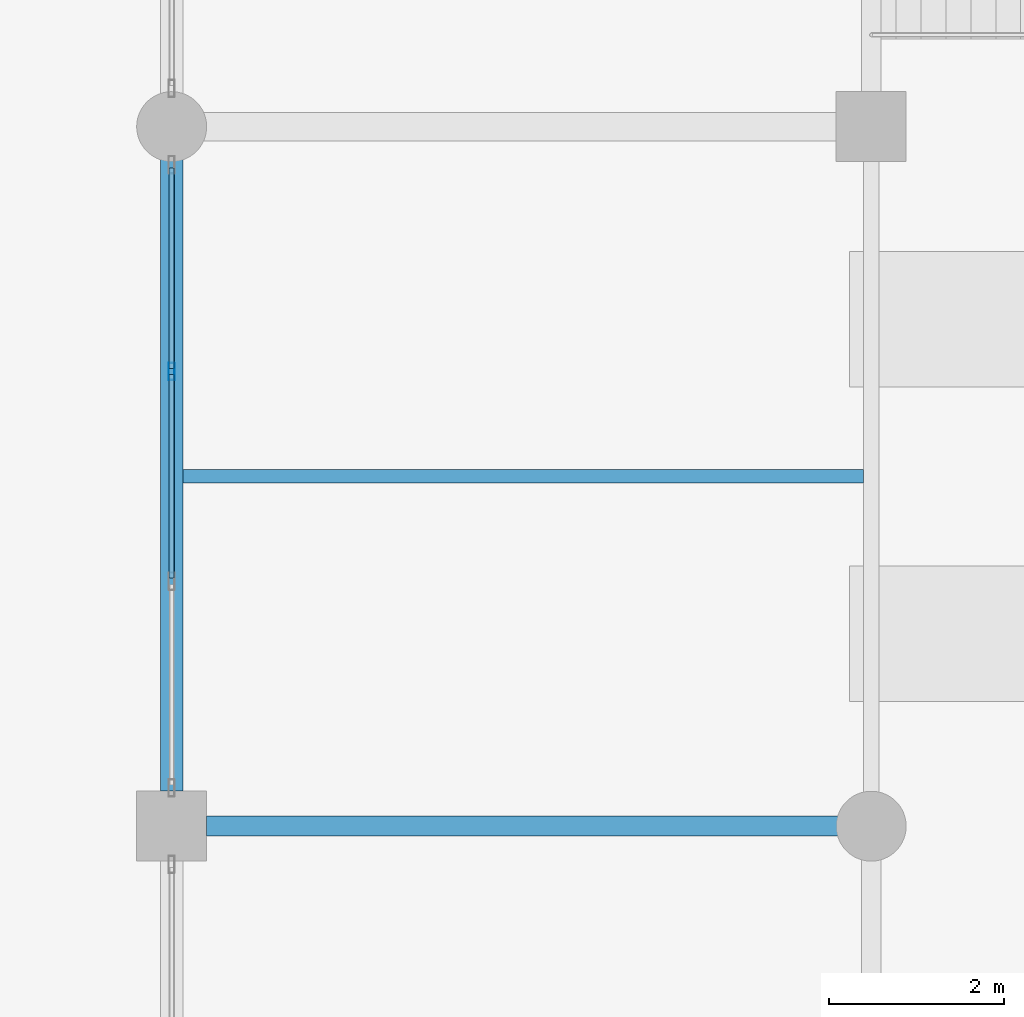
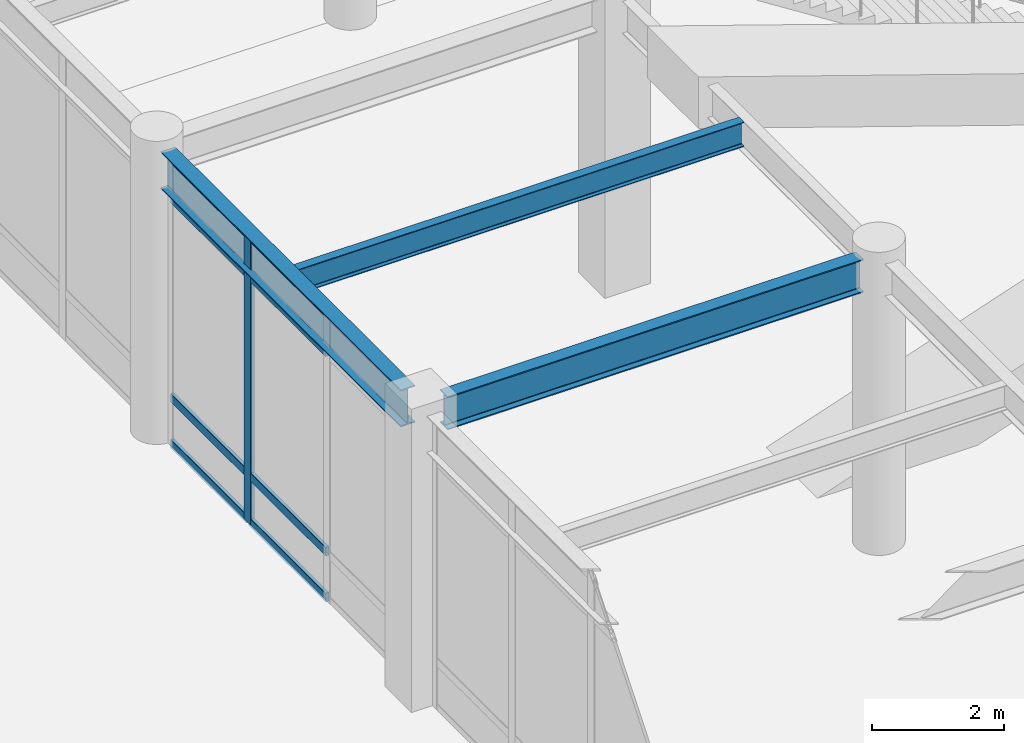
# One storey, part 51 of 128: 9 members, 3 beams, 1 element without a shape of its own.
"""IFC4 building model written with IfcOpenShell, lengths in metres."""

from ifc_helpers import new_model, si_unit, direction, frame, origin, origin_2d, place, context, subcontext, project, spatial, hollow_rectangle, i_section, extrude, material, material_profile, profile_set, type_object, element, aggregate, save


model = new_model("IFC4")

# Units and contexts
model_context = context("Model", 3, precision=1e-05, world=origin(), true_north=direction((0.0, 1.0)))
body_context = subcontext(model_context, "Body", "Model", "MODEL_VIEW")
ifc_project = project(units=[si_unit("LENGTHUNIT", "METRE"), si_unit("AREAUNIT", "SQUARE_METRE"), si_unit("VOLUMEUNIT", "CUBIC_METRE"), si_unit("PLANEANGLEUNIT", "RADIAN"), si_unit("MASSUNIT", "GRAM", prefix="KILO")], contexts=[model_context])

# Site, building, storey
site_placement = place(None, origin())
site = spatial("IfcSite", under=ifc_project, at=site_placement, CompositionType="ELEMENT")
building_placement = place(site_placement, origin())
building = spatial("IfcBuilding", under=site, at=building_placement, Name="Solmirada Galleria", CompositionType="ELEMENT")
storey_placement = place(building_placement, origin())
storey = spatial("IfcBuildingStorey", under=building, at=storey_placement, Name="L00", CompositionType="ELEMENT", Elevation=0.0)

# Beams
ifc_material_1 = material(Name="Steel S355 / ASTM A992 Grade 50", Category="steel")
ifc_material_profile_1 = material_profile(ifc_material_1, i_section(OverallWidth=0.22900390625, OverallDepth=0.612060546875, WebThickness=0.011962890625, FlangeThickness=0.01953125, FilletRadius=0.014892578125, at=origin_2d()), Name="W24X84")
ifc_profile_set_1 = profile_set([ifc_material_profile_1], Name="Steel S355 / ASTM A992 Grade 50")
beam_type_1 = type_object("IfcBeamType", Name="BM-GIRD-W24B", PredefinedType="BEAM", material=ifc_profile_set_1)
beam_1_placement = place(storey_placement, frame((80.39990234375, 56.0, 5.073974609375), z_axis=(1.0, 0.0, 0.0), x_axis=(0.0, 1.0, 0.0)))
element("IfcBeam", 1, at=beam_1_placement, inside=storey, type_object=beam_type_1, Name="Primary beam L01 X(80..88, 56)", PredefinedType="BEAM", context=body_context, shape_type="SweptSolid", body=[
    extrude(i_section(OverallWidth=0.22900390625, OverallDepth=0.612060546875, WebThickness=0.011962890625, FlangeThickness=0.01953125, FilletRadius=0.014892578125, at=origin_2d()), origin(), (0.0, 0.0, 1.0), 7.26416015625),
])
ifc_material_profile_2 = material_profile(ifc_material_1, i_section(OverallWidth=0.25390625, OverallDepth=0.68408203125, WebThickness=0.012451171875, FlangeThickness=0.018798828125, FilletRadius=0.01708984375, at=origin_2d()), Name="W27X94")
ifc_profile_set_2 = profile_set([ifc_material_profile_2], Name="Steel S355 / ASTM A992 Grade 50")
beam_type_2 = type_object("IfcBeamType", Name="BM-GIRD-W27B", PredefinedType="BEAM", material=ifc_profile_set_2)
beam_2_placement = place(storey_placement, frame((80.0, 56.39990234375, 5.0380859375), z_axis=(0.0, 1.0, 0.0), x_axis=(-1.0, 0.0, 0.0)))
element("IfcBeam", 2, at=beam_2_placement, inside=storey, type_object=beam_type_2, Name="Primary girder L01 Y(80, 56..64)", PredefinedType="BEAM", context=body_context, shape_type="SweptSolid", body=[
    extrude(i_section(OverallWidth=0.25390625, OverallDepth=0.68408203125, WebThickness=0.012451171875, FlangeThickness=0.018798828125, FilletRadius=0.01708984375, at=origin_2d()), origin(), (0.0, 0.0, 1.0), 7.26416015625),
])
ifc_material_profile_3 = material_profile(ifc_material_1, i_section(OverallWidth=0.153076171875, OverallDepth=0.455078125, WebThickness=0.008056640625, FlangeThickness=0.01318359375, FilletRadius=0.011962890625, at=origin_2d()), Name="W18X40")
ifc_profile_set_3 = profile_set([ifc_material_profile_3], Name="Steel S355 / ASTM A992 Grade 50")
beam_type_3 = type_object("IfcBeamType", Name="BM-JST-W18A", PredefinedType="JOIST", material=ifc_profile_set_3)
beam_3_placement = place(storey_placement, frame((80.126953125, 60.0, 5.152587890625), z_axis=(1.0, 0.0, 0.0), x_axis=(0.0, 1.0, 0.0)))
element("IfcBeam", 3, at=beam_3_placement, inside=storey, type_object=beam_type_3, Name="Composite floor joist L01 (80..88, 60.0)", PredefinedType="JOIST", context=body_context, shape_type="SweptSolid", body=[
    extrude(i_section(OverallWidth=0.153076171875, OverallDepth=0.455078125, WebThickness=0.008056640625, FlangeThickness=0.01318359375, FilletRadius=0.011962890625, at=origin_2d()), origin(), (0.0, 0.0, 1.0), 7.783935546875),
])

# Curtain wall, members
ifc_material_2 = material(Name="Impact-resistant low-E double glazing", Category="glass")
curtain_wall_type = type_object("IfcCurtainWallType", Name="CW-FZ3-L00-B3-L072", PredefinedType="NOTDEFINED", material=ifc_material_2)
curtain_wall_placement = place(storey_placement, origin())
curtain_wall = element("IfcCurtainWall", 4, at=curtain_wall_placement, inside=storey, type_object=curtain_wall_type, Name="Terrace and arcade storefront CW-L00-002", PredefinedType="NOTDEFINED")
ifc_material_3 = material(Name="Anodised aluminium framing", Category="aluminium")
ifc_material_profile_4 = material_profile(ifc_material_3, hollow_rectangle(XDim=0.070068359375, YDim=0.199951171875, WallThickness=0.004150390625, InnerFilletRadius=0.004150390625, OuterFilletRadius=0.00830078125, at=origin_2d()), Name="ALU-MULL-200X70")
ifc_profile_set_4 = profile_set([ifc_material_profile_4], Name="Anodised aluminium framing")
member_type_1 = type_object("IfcMemberType", Name="CW-MULL-200", PredefinedType="MULLION", material=ifc_profile_set_4)
member_1_placement = place(storey_placement, frame((80.0, 61.19921875, 0.0), z_axis=(0.0, 0.0, 1.0), x_axis=(-1.0, 0.0, 0.0)))
member_1 = element("IfcMember", 5, at=member_1_placement, type_object=member_type_1, Name="CW01 mullion 3", PredefinedType="MULLION", context=body_context, shape_type="SweptSolid", body=[
    extrude(hollow_rectangle(XDim=0.070068359375, YDim=0.199951171875, WallThickness=0.004150390625, InnerFilletRadius=0.004150390625, OuterFilletRadius=0.00830078125, at=origin_2d()), origin(), (0.0, 0.0, 1.0), 5.320068359375),
])
ifc_material_profile_5 = material_profile(ifc_material_3, hollow_rectangle(XDim=0.06494140625, YDim=0.159912109375, WallThickness=0.00390625, InnerFilletRadius=0.00390625, OuterFilletRadius=0.007568359375, at=origin_2d()), Name="ALU-TRAN-160X65")
ifc_profile_set_5 = profile_set([ifc_material_profile_5], Name="Anodised aluminium framing")
member_type_2 = type_object("IfcMemberType", Name="CW-TRAN-160", PredefinedType="USERDEFINED", material=ifc_profile_set_5)
member_2_placement = place(storey_placement, frame((80.0, 58.835693359375, 0.032470703125), z_axis=(0.0, 1.0, 0.0), x_axis=(-1.0, 0.0, 0.0)))
member_2 = element("IfcMember", 6, at=member_2_placement, type_object=member_type_2, Name="CW01 transom 2.1", ObjectType="TRANSOM", PredefinedType="USERDEFINED", context=body_context, shape_type="SweptSolid", body=[
    extrude(hollow_rectangle(XDim=0.06494140625, YDim=0.159912109375, WallThickness=0.00390625, InnerFilletRadius=0.00390625, OuterFilletRadius=0.007568359375, at=origin_2d()), origin(), (0.0, 0.0, 1.0), 2.32861328125),
])
member_3_placement = place(storey_placement, frame((80.0, 58.835693359375, 0.8798828125), z_axis=(0.0, 1.0, 0.0), x_axis=(-1.0, 0.0, 0.0)))
member_3 = element("IfcMember", 7, at=member_3_placement, type_object=member_type_2, Name="CW01 transom 2.2", ObjectType="TRANSOM", PredefinedType="USERDEFINED", context=body_context, shape_type="SweptSolid", body=[
    extrude(hollow_rectangle(XDim=0.06494140625, YDim=0.159912109375, WallThickness=0.00390625, InnerFilletRadius=0.00390625, OuterFilletRadius=0.007568359375, at=origin_2d()), origin(), (0.0, 0.0, 1.0), 2.32861328125),
])
member_4_placement = place(storey_placement, frame((80.0, 58.835693359375, 4.56005859375), z_axis=(0.0, 1.0, 0.0), x_axis=(-1.0, 0.0, 0.0)))
member_4 = element("IfcMember", 8, at=member_4_placement, type_object=member_type_2, Name="CW01 transom 2.3", ObjectType="TRANSOM", PredefinedType="USERDEFINED", context=body_context, shape_type="SweptSolid", body=[
    extrude(hollow_rectangle(XDim=0.06494140625, YDim=0.159912109375, WallThickness=0.00390625, InnerFilletRadius=0.00390625, OuterFilletRadius=0.007568359375, at=origin_2d()), origin(), (0.0, 0.0, 1.0), 2.32861328125),
])
member_5_placement = place(storey_placement, frame((80.0, 58.835693359375, 5.28759765625), z_axis=(0.0, 1.0, 0.0), x_axis=(-1.0, 0.0, 0.0)))
member_5 = element("IfcMember", 9, at=member_5_placement, type_object=member_type_2, Name="CW01 transom 2.4", ObjectType="TRANSOM", PredefinedType="USERDEFINED", context=body_context, shape_type="SweptSolid", body=[
    extrude(hollow_rectangle(XDim=0.06494140625, YDim=0.159912109375, WallThickness=0.00390625, InnerFilletRadius=0.00390625, OuterFilletRadius=0.007568359375, at=origin_2d()), origin(), (0.0, 0.0, 1.0), 2.32861328125),
])
member_6_placement = place(storey_placement, frame((80.0, 61.234375, 0.032470703125), z_axis=(0.0, 1.0, 0.0), x_axis=(-1.0, 0.0, 0.0)))
member_6 = element("IfcMember", 10, at=member_6_placement, type_object=member_type_2, Name="CW01 transom 3.1", ObjectType="TRANSOM", PredefinedType="USERDEFINED", context=body_context, shape_type="SweptSolid", body=[
    extrude(hollow_rectangle(XDim=0.06494140625, YDim=0.159912109375, WallThickness=0.00390625, InnerFilletRadius=0.00390625, OuterFilletRadius=0.007568359375, at=origin_2d()), origin(), (0.0, 0.0, 1.0), 2.293701171875),
])
member_7_placement = place(storey_placement, frame((80.0, 61.234375, 0.8798828125), z_axis=(0.0, 1.0, 0.0), x_axis=(-1.0, 0.0, 0.0)))
member_7 = element("IfcMember", 11, at=member_7_placement, type_object=member_type_2, Name="CW01 transom 3.2", ObjectType="TRANSOM", PredefinedType="USERDEFINED", context=body_context, shape_type="SweptSolid", body=[
    extrude(hollow_rectangle(XDim=0.06494140625, YDim=0.159912109375, WallThickness=0.00390625, InnerFilletRadius=0.00390625, OuterFilletRadius=0.007568359375, at=origin_2d()), origin(), (0.0, 0.0, 1.0), 2.293701171875),
])
member_8_placement = place(storey_placement, frame((80.0, 61.234375, 4.56005859375), z_axis=(0.0, 1.0, 0.0), x_axis=(-1.0, 0.0, 0.0)))
member_8 = element("IfcMember", 12, at=member_8_placement, type_object=member_type_2, Name="CW01 transom 3.3", ObjectType="TRANSOM", PredefinedType="USERDEFINED", context=body_context, shape_type="SweptSolid", body=[
    extrude(hollow_rectangle(XDim=0.06494140625, YDim=0.159912109375, WallThickness=0.00390625, InnerFilletRadius=0.00390625, OuterFilletRadius=0.007568359375, at=origin_2d()), origin(), (0.0, 0.0, 1.0), 2.293701171875),
])
member_9_placement = place(storey_placement, frame((80.0, 61.234375, 5.28759765625), z_axis=(0.0, 1.0, 0.0), x_axis=(-1.0, 0.0, 0.0)))
member_9 = element("IfcMember", 13, at=member_9_placement, type_object=member_type_2, Name="CW01 transom 3.4", ObjectType="TRANSOM", PredefinedType="USERDEFINED", context=body_context, shape_type="SweptSolid", body=[
    extrude(hollow_rectangle(XDim=0.06494140625, YDim=0.159912109375, WallThickness=0.00390625, InnerFilletRadius=0.00390625, OuterFilletRadius=0.007568359375, at=origin_2d()), origin(), (0.0, 0.0, 1.0), 2.293701171875),
])
aggregate(curtain_wall, [member_1, member_2, member_3, member_4, member_5, member_6, member_7, member_8, member_9])

save(model, "model.ifc")
